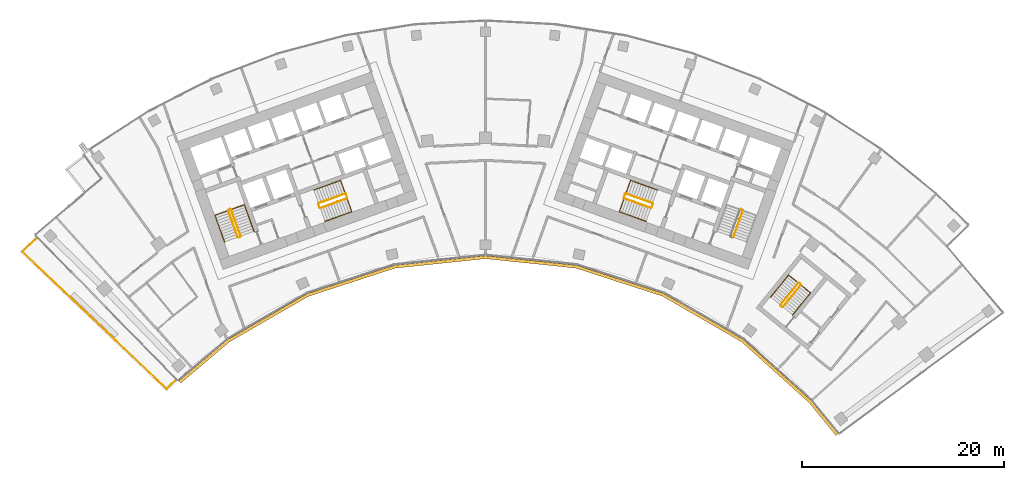
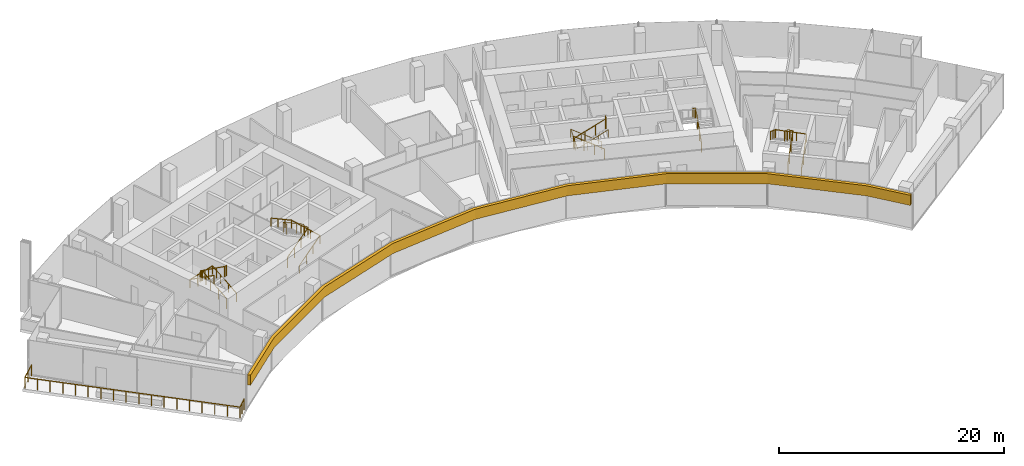
# One storey, part 19 of 20: 14 railings, 1 covering.
"""IFC4 building model written with IfcOpenShell, lengths in metres."""

from ifc_helpers import new_model, si_unit, direction, frame, origin, origin_2d, place, context, subcontext, project, spatial, polyline, circle, outline, extrude, material, layer, layer_set, type_object, element, save


model = new_model("IFC4")

# Units and contexts
model_context = context("Model", 3, precision=1e-05, world=origin(), true_north=direction((0.0, 1.0)))
body_context = subcontext(model_context, "Body", "Model", "MODEL_VIEW")
ifc_project = project(units=[si_unit("LENGTHUNIT", "METRE"), si_unit("AREAUNIT", "SQUARE_METRE"), si_unit("VOLUMEUNIT", "CUBIC_METRE"), si_unit("PLANEANGLEUNIT", "RADIAN"), si_unit("MASSUNIT", "GRAM", prefix="KILO")], contexts=[model_context])

# Site, building, storey
site_placement = place(None, origin())
site = spatial("IfcSite", under=ifc_project, at=site_placement, CompositionType="ELEMENT")
building_placement = place(site_placement, origin())
building = spatial("IfcBuilding", under=site, at=building_placement, Name="Stone Belt Terrace Tower", CompositionType="ELEMENT")
storey_placement = place(building_placement, frame((0.0, 0.0, 216.199951171875)))
storey = spatial("IfcBuildingStorey", under=building, at=storey_placement, Name="L52", CompositionType="ELEMENT", Elevation=216.199951171875)

# Railings
ifc_material_1 = material(Name="Structural steel C345", Category="steel")
railing_type_1 = type_object("IfcRailingType", Name="Stair guard 1100", PredefinedType="GUARDRAIL", material=ifc_material_1)
railing_1_placement = place(storey_placement, frame((-24.2119140625, 45.276123046875, 0.1728515625)))
element("IfcRailing", 1, at=railing_1_placement, inside=storey, type_object=railing_type_1, Name="L52 ST1A stair guard 1", PredefinedType="GUARDRAIL", context=body_context, shape_type="SweptSolid", body=[
    extrude(circle(Radius=0.02392578125, at=origin_2d()), frame((0.0, 0.0, 1.076171875), z_axis=(-0.288228637646, 0.800791768495, 0.525030280985), x_axis=(-0.940908529223, -0.338660803216, 0.0)), (0.0, 0.0, 1.0), 3.289794921875),
    extrude(circle(Radius=0.02392578125, at=origin_2d()), frame((-0.9482421875, 2.634521484375, 2.80322265625), z_axis=(-0.905209821074, 0.424964916, 0.0), x_axis=(-0.424964916, -0.905209821074, 0.0)), (0.0, 0.0, 1.0), 0.070556640625),
    extrude(circle(Radius=0.02392578125, at=origin_2d()), frame((-1.01220703125, 2.66455078125, 2.80322265625), z_axis=(-0.941105063269, -0.338114270461, 0.0), x_axis=(0.338114270461, -0.941105063269, 0.0)), (0.0, 0.0, 1.0), 0.199951171875),
    extrude(circle(Radius=0.02099609375, at=origin_2d()), origin(), (0.0, 0.0, 1.0), 1.052001953125),
    extrude(circle(Radius=0.02099609375, at=origin_2d()), frame((-0.316162109375, 0.878173828125, 0.57568359375)), (0.0, 0.0, 1.0), 1.052001953125),
    extrude(circle(Radius=0.02099609375, at=origin_2d()), frame((-0.632080078125, 1.75634765625, 1.151611328125)), (0.0, 0.0, 1.0), 1.052001953125),
    extrude(circle(Radius=0.02099609375, at=origin_2d()), frame((-0.9482421875, 2.634521484375, 1.727294921875)), (0.0, 0.0, 1.0), 1.052001953125),
    extrude(circle(Radius=0.02099609375, at=origin_2d()), frame((-1.01220703125, 2.66455078125, 1.727294921875)), (0.0, 0.0, 1.0), 1.052001953125),
    extrude(circle(Radius=0.02099609375, at=origin_2d()), frame((-1.200439453125, 2.596923828125, 1.727294921875)), (0.0, 0.0, 1.0), 1.052001953125),
])
railing_2_placement = place(storey_placement, frame((-25.4423828125, 47.80908203125, 2.07275390625)))
element("IfcRailing", 2, at=railing_2_placement, inside=storey, type_object=railing_type_1, Name="L52 ST1A stair guard 2", PredefinedType="GUARDRAIL", context=body_context, shape_type="SweptSolid", body=[
    extrude(circle(Radius=0.02392578125, at=origin_2d()), frame((0.0, 0.0, 1.076171875), z_axis=(0.288228637646, -0.800791768495, 0.525030280985), x_axis=(0.940908529223, 0.338660803216, 0.0)), (0.0, 0.0, 1.0), 3.289794921875),
    extrude(circle(Radius=0.02392578125, at=origin_2d()), frame((0.9482421875, -2.634521484375, 2.80322265625), z_axis=(0.903878284585, -0.427789722475, 0.0), x_axis=(0.427789722475, 0.903878284585, 0.0)), (0.0, 0.0, 1.0), 0.07080078125),
    extrude(circle(Radius=0.02392578125, at=origin_2d()), frame((1.01220703125, -2.664794921875, 2.80322265625), z_axis=(0.940575576748, 0.339584429008, 0.0), x_axis=(-0.339584429008, 0.940575576748, 0.0)), (0.0, 0.0, 1.0), 0.199951171875),
    extrude(circle(Radius=0.02099609375, at=origin_2d()), origin(), (0.0, 0.0, 1.0), 1.052001953125),
    extrude(circle(Radius=0.02099609375, at=origin_2d()), frame((0.316162109375, -0.878173828125, 0.57568359375)), (0.0, 0.0, 1.0), 1.052001953125),
    extrude(circle(Radius=0.02099609375, at=origin_2d()), frame((0.632080078125, -1.75634765625, 1.151611328125)), (0.0, 0.0, 1.0), 1.052001953125),
    extrude(circle(Radius=0.02099609375, at=origin_2d()), frame((0.9482421875, -2.634521484375, 1.727294921875)), (0.0, 0.0, 1.0), 1.052001953125),
    extrude(circle(Radius=0.02099609375, at=origin_2d()), frame((1.01220703125, -2.664794921875, 1.727294921875)), (0.0, 0.0, 1.0), 1.052001953125),
    extrude(circle(Radius=0.02099609375, at=origin_2d()), frame((1.2001953125, -2.596923828125, 1.727294921875)), (0.0, 0.0, 1.0), 1.052001953125),
])
railing_3_placement = place(storey_placement, frame((-16.33837890625, 48.056640625, 0.1728515625)))
element("IfcRailing", 3, at=railing_3_placement, inside=storey, type_object=railing_type_1, Name="L52 ST2A stair guard 1", PredefinedType="GUARDRAIL", context=body_context, shape_type="SweptSolid", body=[
    extrude(circle(Radius=0.02392578125, at=origin_2d()), frame((0.0, 0.0, 1.076171875), z_axis=(0.800808895155, 0.288160591223, 0.52504150989), x_axis=(-0.338583606334, 0.940936311087, 0.0)), (0.0, 0.0, 1.0), 3.289794921875),
    extrude(circle(Radius=0.02392578125, at=origin_2d()), frame((2.634521484375, 0.947998046875, 2.80322265625), z_axis=(0.427789722475, 0.903878284585, 0.0), x_axis=(-0.903878284585, 0.427789722475, 0.0)), (0.0, 0.0, 1.0), 0.07080078125),
    extrude(circle(Radius=0.02392578125, at=origin_2d()), frame((2.664794921875, 1.011962890625, 2.80322265625), z_axis=(-0.338654645739, 0.940910745459, 0.0), x_axis=(-0.940910745459, -0.338654645739, 0.0)), (0.0, 0.0, 1.0), 0.400146484375),
    extrude(circle(Radius=0.02099609375, at=origin_2d()), origin(), (0.0, 0.0, 1.0), 1.052001953125),
    extrude(circle(Radius=0.02099609375, at=origin_2d()), frame((0.878173828125, 0.31591796875, 0.57568359375)), (0.0, 0.0, 1.0), 1.052001953125),
    extrude(circle(Radius=0.02099609375, at=origin_2d()), frame((1.75634765625, 0.632080078125, 1.151611328125)), (0.0, 0.0, 1.0), 1.052001953125),
    extrude(circle(Radius=0.02099609375, at=origin_2d()), frame((2.634521484375, 0.947998046875, 1.727294921875)), (0.0, 0.0, 1.0), 1.052001953125),
    extrude(circle(Radius=0.02099609375, at=origin_2d()), frame((2.664794921875, 1.011962890625, 1.727294921875)), (0.0, 0.0, 1.0), 1.052001953125),
    extrude(circle(Radius=0.02099609375, at=origin_2d()), frame((2.529296875, 1.388427734375, 1.727294921875)), (0.0, 0.0, 1.0), 1.052001953125),
])
railing_4_placement = place(storey_placement, frame((-13.873046875, 49.47509765625, 2.07275390625)))
element("IfcRailing", 4, at=railing_4_placement, inside=storey, type_object=railing_type_1, Name="L52 ST2A stair guard 2", PredefinedType="GUARDRAIL", context=body_context, shape_type="SweptSolid", body=[
    extrude(circle(Radius=0.02392578125, at=origin_2d()), frame((0.0, 0.0, 1.076171875), z_axis=(-0.800808895155, -0.288160591223, 0.52504150989), x_axis=(0.338583606334, -0.940936311087, 0.0)), (0.0, 0.0, 1.0), 3.289794921875),
    extrude(circle(Radius=0.02392578125, at=origin_2d()), frame((-2.634521484375, -0.947998046875, 2.80322265625), z_axis=(-0.427789722475, -0.903878284585, 0.0), x_axis=(0.903878284585, -0.427789722475, 0.0)), (0.0, 0.0, 1.0), 0.07080078125),
    extrude(circle(Radius=0.02392578125, at=origin_2d()), frame((-2.664794921875, -1.011962890625, 2.80322265625), z_axis=(0.338654645739, -0.940910745459, 0.0), x_axis=(0.940910745459, 0.338654645739, 0.0)), (0.0, 0.0, 1.0), 0.400146484375),
    extrude(circle(Radius=0.02099609375, at=origin_2d()), origin(), (0.0, 0.0, 1.0), 1.052001953125),
    extrude(circle(Radius=0.02099609375, at=origin_2d()), frame((-0.878173828125, -0.31591796875, 0.57568359375)), (0.0, 0.0, 1.0), 1.052001953125),
    extrude(circle(Radius=0.02099609375, at=origin_2d()), frame((-1.75634765625, -0.632080078125, 1.151611328125)), (0.0, 0.0, 1.0), 1.052001953125),
    extrude(circle(Radius=0.02099609375, at=origin_2d()), frame((-2.634521484375, -0.947998046875, 1.727294921875)), (0.0, 0.0, 1.0), 1.052001953125),
    extrude(circle(Radius=0.02099609375, at=origin_2d()), frame((-2.664794921875, -1.011962890625, 1.727294921875)), (0.0, 0.0, 1.0), 1.052001953125),
    extrude(circle(Radius=0.02099609375, at=origin_2d()), frame((-2.529296875, -1.388427734375, 1.727294921875)), (0.0, 0.0, 1.0), 1.052001953125),
])
railing_5_placement = place(storey_placement, frame((24.494140625, 45.174560546875, 0.1728515625)))
element("IfcRailing", 5, at=railing_5_placement, inside=storey, type_object=railing_type_1, Name="L52 ST1B stair guard 1", PredefinedType="GUARDRAIL", context=body_context, shape_type="SweptSolid", body=[
    extrude(circle(Radius=0.02392578125, at=origin_2d()), frame((0.0, 0.0, 1.076171875), z_axis=(0.288228637646, 0.800791768495, 0.525030280985), x_axis=(-0.940908529223, 0.338660803216, 0.0)), (0.0, 0.0, 1.0), 3.289794921875),
    extrude(circle(Radius=0.02392578125, at=origin_2d()), frame((0.9482421875, 2.634521484375, 2.80322265625), z_axis=(-0.424964916, 0.905209821074, 0.0), x_axis=(-0.905209821074, -0.424964916, 0.0)), (0.0, 0.0, 1.0), 0.070556640625),
    extrude(circle(Radius=0.02392578125, at=origin_2d()), frame((0.918212890625, 2.698486328125, 2.80322265625), z_axis=(-0.941105063269, 0.338114270461, 0.0), x_axis=(-0.338114270461, -0.941105063269, 0.0)), (0.0, 0.0, 1.0), 0.199951171875),
    extrude(circle(Radius=0.02099609375, at=origin_2d()), origin(), (0.0, 0.0, 1.0), 1.052001953125),
    extrude(circle(Radius=0.02099609375, at=origin_2d()), frame((0.316162109375, 0.878173828125, 0.57568359375)), (0.0, 0.0, 1.0), 1.052001953125),
    extrude(circle(Radius=0.02099609375, at=origin_2d()), frame((0.632080078125, 1.75634765625, 1.151611328125)), (0.0, 0.0, 1.0), 1.052001953125),
    extrude(circle(Radius=0.02099609375, at=origin_2d()), frame((0.9482421875, 2.634521484375, 1.727294921875)), (0.0, 0.0, 1.0), 1.052001953125),
    extrude(circle(Radius=0.02099609375, at=origin_2d()), frame((0.918212890625, 2.698486328125, 1.727294921875)), (0.0, 0.0, 1.0), 1.052001953125),
    extrude(circle(Radius=0.02099609375, at=origin_2d()), frame((0.72998046875, 2.76611328125, 1.727294921875)), (0.0, 0.0, 1.0), 1.052001953125),
])
railing_6_placement = place(storey_placement, frame((16.507568359375, 48.527099609375, 0.1728515625)))
element("IfcRailing", 6, at=railing_6_placement, inside=storey, type_object=railing_type_1, Name="L52 ST2B stair guard 1", PredefinedType="GUARDRAIL", context=body_context, shape_type="SweptSolid", body=[
    extrude(circle(Radius=0.02392578125, at=origin_2d()), frame((0.0, 0.0, 1.076171875), z_axis=(-0.800808895155, 0.288160591223, 0.52504150989), x_axis=(-0.338583606334, -0.940936311087, 0.0)), (0.0, 0.0, 1.0), 3.289794921875),
    extrude(circle(Radius=0.02392578125, at=origin_2d()), frame((-2.634521484375, 0.947998046875, 2.80322265625), z_axis=(-0.905209821074, -0.424964916, 0.0), x_axis=(0.424964916, -0.905209821074, 0.0)), (0.0, 0.0, 1.0), 0.070556640625),
    extrude(circle(Radius=0.02392578125, at=origin_2d()), frame((-2.698486328125, 0.91796875, 2.80322265625), z_axis=(-0.338654645739, -0.940910745459, 0.0), x_axis=(0.940910745459, -0.338654645739, 0.0)), (0.0, 0.0, 1.0), 0.400146484375),
    extrude(circle(Radius=0.02099609375, at=origin_2d()), origin(), (0.0, 0.0, 1.0), 1.052001953125),
    extrude(circle(Radius=0.02099609375, at=origin_2d()), frame((-0.878173828125, 0.31591796875, 0.57568359375)), (0.0, 0.0, 1.0), 1.052001953125),
    extrude(circle(Radius=0.02099609375, at=origin_2d()), frame((-1.75634765625, 0.632080078125, 1.151611328125)), (0.0, 0.0, 1.0), 1.052001953125),
    extrude(circle(Radius=0.02099609375, at=origin_2d()), frame((-2.634521484375, 0.947998046875, 1.727294921875)), (0.0, 0.0, 1.0), 1.052001953125),
    extrude(circle(Radius=0.02099609375, at=origin_2d()), frame((-2.698486328125, 0.91796875, 1.727294921875)), (0.0, 0.0, 1.0), 1.052001953125),
    extrude(circle(Radius=0.02099609375, at=origin_2d()), frame((-2.833984375, 0.54150390625, 1.727294921875)), (0.0, 0.0, 1.0), 1.052001953125),
])
railing_7_placement = place(storey_placement, frame((13.703857421875, 49.004638671875, 2.07275390625)))
element("IfcRailing", 7, at=railing_7_placement, inside=storey, type_object=railing_type_1, Name="L52 ST2B stair guard 2", PredefinedType="GUARDRAIL", context=body_context, shape_type="SweptSolid", body=[
    extrude(circle(Radius=0.02392578125, at=origin_2d()), frame((0.0, 0.0, 1.076171875), z_axis=(0.800808895155, -0.288160591223, 0.52504150989), x_axis=(0.338583606334, 0.940936311087, 0.0)), (0.0, 0.0, 1.0), 3.289794921875),
    extrude(circle(Radius=0.02392578125, at=origin_2d()), frame((2.634521484375, -0.947998046875, 2.80322265625), z_axis=(0.905209821074, 0.424964916, 0.0), x_axis=(-0.424964916, 0.905209821074, 0.0)), (0.0, 0.0, 1.0), 0.070556640625),
    extrude(circle(Radius=0.02392578125, at=origin_2d()), frame((2.698486328125, -0.91796875, 2.80322265625), z_axis=(0.338654645739, 0.940910745459, 0.0), x_axis=(-0.940910745459, 0.338654645739, 0.0)), (0.0, 0.0, 1.0), 0.400146484375),
    extrude(circle(Radius=0.02099609375, at=origin_2d()), origin(), (0.0, 0.0, 1.0), 1.052001953125),
    extrude(circle(Radius=0.02099609375, at=origin_2d()), frame((0.878173828125, -0.31591796875, 0.57568359375)), (0.0, 0.0, 1.0), 1.052001953125),
    extrude(circle(Radius=0.02099609375, at=origin_2d()), frame((1.75634765625, -0.632080078125, 1.151611328125)), (0.0, 0.0, 1.0), 1.052001953125),
    extrude(circle(Radius=0.02099609375, at=origin_2d()), frame((2.634521484375, -0.947998046875, 1.727294921875)), (0.0, 0.0, 1.0), 1.052001953125),
    extrude(circle(Radius=0.02099609375, at=origin_2d()), frame((2.698486328125, -0.91796875, 1.727294921875)), (0.0, 0.0, 1.0), 1.052001953125),
    extrude(circle(Radius=0.02099609375, at=origin_2d()), frame((2.833984375, -0.54150390625, 1.727294921875)), (0.0, 0.0, 1.0), 1.052001953125),
])
railing_8_placement = place(storey_placement, frame((29.39794921875, 38.281982421875, 0.1728515625)))
element("IfcRailing", 8, at=railing_8_placement, inside=storey, type_object=railing_type_1, Name="L52 ST3B stair guard 1", PredefinedType="GUARDRAIL", context=body_context, shape_type="SweptSolid", body=[
    extrude(circle(Radius=0.02392578125, at=origin_2d()), frame((0.0, 0.0, 1.076171875), z_axis=(0.536393061503, 0.660769759217, 0.525038864158), x_axis=(-0.776391310223, 0.630251166924, 0.0)), (0.0, 0.0, 1.0), 3.289794921875),
    extrude(circle(Radius=0.02392578125, at=origin_2d()), frame((1.7646484375, 2.173828125, 2.80322265625), z_axis=(-0.103251414163, 0.994655289773, 0.0), x_axis=(-0.994655289773, -0.103251414163, 0.0)), (0.0, 0.0, 1.0), 0.071044921875),
    extrude(circle(Radius=0.02392578125, at=origin_2d()), frame((1.75732421875, 2.244384765625, 2.80322265625), z_axis=(-0.776561986372, 0.630040856868, 0.0), x_axis=(-0.630040856868, -0.776561986372, 0.0)), (0.0, 0.0, 1.0), 0.199951171875),
    extrude(circle(Radius=0.02099609375, at=origin_2d()), origin(), (0.0, 0.0, 1.0), 1.052001953125),
    extrude(circle(Radius=0.02099609375, at=origin_2d()), frame((0.588134765625, 0.724609375, 0.57568359375)), (0.0, 0.0, 1.0), 1.052001953125),
    extrude(circle(Radius=0.02099609375, at=origin_2d()), frame((1.176513671875, 1.44921875, 1.151611328125)), (0.0, 0.0, 1.0), 1.052001953125),
    extrude(circle(Radius=0.02099609375, at=origin_2d()), frame((1.7646484375, 2.173828125, 1.727294921875)), (0.0, 0.0, 1.0), 1.052001953125),
    extrude(circle(Radius=0.02099609375, at=origin_2d()), frame((1.75732421875, 2.244384765625, 1.727294921875)), (0.0, 0.0, 1.0), 1.052001953125),
    extrude(circle(Radius=0.02099609375, at=origin_2d()), frame((1.60205078125, 2.370361328125, 1.727294921875)), (0.0, 0.0, 1.0), 1.052001953125),
])
railing_9_placement = place(storey_placement, frame((30.9296875, 40.64501953125, 2.07275390625)))
element("IfcRailing", 9, at=railing_9_placement, inside=storey, type_object=railing_type_1, Name="L52 ST3B stair guard 2", PredefinedType="GUARDRAIL", context=body_context, shape_type="SweptSolid", body=[
    extrude(circle(Radius=0.02392578125, at=origin_2d()), frame((0.0, 0.0, 1.076171875), z_axis=(-0.536366759382, -0.660811565066, 0.525013118792), x_axis=(0.776425942316, -0.630208502084, 0.0)), (0.0, 0.0, 1.0), 3.2900390625),
    extrude(circle(Radius=0.02392578125, at=origin_2d()), frame((-1.7646484375, -2.174072265625, 2.80322265625), z_axis=(0.103606084259, -0.994618408891, 0.0), x_axis=(0.994618408891, 0.103606084259, 0.0)), (0.0, 0.0, 1.0), 0.07080078125),
    extrude(circle(Radius=0.02392578125, at=origin_2d()), frame((-1.75732421875, -2.244384765625, 2.80322265625), z_axis=(0.776561986372, -0.630040856868, 0.0), x_axis=(0.630040856868, 0.776561986372, 0.0)), (0.0, 0.0, 1.0), 0.199951171875),
    extrude(circle(Radius=0.02099609375, at=origin_2d()), origin(), (0.0, 0.0, 1.0), 1.052001953125),
    extrude(circle(Radius=0.02099609375, at=origin_2d()), frame((-0.588134765625, -0.724609375, 0.57568359375)), (0.0, 0.0, 1.0), 1.052001953125),
    extrude(circle(Radius=0.02099609375, at=origin_2d()), frame((-1.176513671875, -1.449462890625, 1.151611328125)), (0.0, 0.0, 1.0), 1.052001953125),
    extrude(circle(Radius=0.02099609375, at=origin_2d()), frame((-1.7646484375, -2.174072265625, 1.727294921875)), (0.0, 0.0, 1.0), 1.052001953125),
    extrude(circle(Radius=0.02099609375, at=origin_2d()), frame((-1.75732421875, -2.244384765625, 1.727294921875)), (0.0, 0.0, 1.0), 1.052001953125),
    extrude(circle(Radius=0.02099609375, at=origin_2d()), frame((-1.60205078125, -2.370361328125, 1.727294921875)), (0.0, 0.0, 1.0), 1.052001953125),
])
railing_type_2 = type_object("IfcRailingType", Name="Stair handrail 900", PredefinedType="HANDRAIL", material=ifc_material_1)
railing_10_placement = place(storey_placement, frame((-22.894775390625, 45.750244140625, 0.1728515625)))
element("IfcRailing", 10, at=railing_10_placement, inside=storey, type_object=railing_type_2, Name="L52 ST1A stair handrail 1", PredefinedType="HANDRAIL", context=body_context, shape_type="SweptSolid", body=[
    extrude(circle(Radius=0.02392578125, at=origin_2d()), frame((0.0, 0.0, 0.8759765625), z_axis=(-0.288160591223, 0.800808895155, 0.52504150989), x_axis=(-0.940936311087, -0.338583606334, 0.0)), (0.0, 0.0, 1.0), 3.289794921875),
    extrude(circle(Radius=0.02392578125, at=origin_2d()), frame((-0.947998046875, 2.634521484375, 2.60302734375), z_axis=(-0.939464517435, -0.338106580597, 0.055591012205), x_axis=(0.338630230244, -0.940919532779, 0.0)), (0.0, 0.0, 1.0), 3.10498046875),
    extrude(circle(Radius=0.02392578125, at=origin_2d()), frame((-3.864990234375, 1.584716796875, 2.77587890625), z_axis=(0.288228637646, -0.800791768495, 0.525030280985), x_axis=(0.940908529223, 0.338660803216, 0.0)), (0.0, 0.0, 1.0), 3.289794921875),
    extrude(circle(Radius=0.02099609375, at=origin_2d()), origin(), (0.0, 0.0, 1.0), 0.851806640625),
    extrude(circle(Radius=0.02099609375, at=origin_2d()), frame((-0.31591796875, 0.878173828125, 0.57568359375)), (0.0, 0.0, 1.0), 0.851806640625),
    extrude(circle(Radius=0.02099609375, at=origin_2d()), frame((-0.632080078125, 1.75634765625, 1.151611328125)), (0.0, 0.0, 1.0), 0.851806640625),
    extrude(circle(Radius=0.02099609375, at=origin_2d()), frame((-0.947998046875, 2.634521484375, 1.727294921875)), (0.0, 0.0, 1.0), 0.851806640625),
    extrude(circle(Radius=0.02099609375, at=origin_2d()), frame((-1.92041015625, 2.28466796875, 1.784912109375)), (0.0, 0.0, 1.0), 0.851806640625),
    extrude(circle(Radius=0.02099609375, at=origin_2d()), frame((-2.892578125, 1.9345703125, 1.84228515625)), (0.0, 0.0, 1.0), 0.851806640625),
    extrude(circle(Radius=0.02099609375, at=origin_2d()), frame((-3.864990234375, 1.584716796875, 1.89990234375)), (0.0, 0.0, 1.0), 0.851806640625),
    extrude(circle(Radius=0.02099609375, at=origin_2d()), frame((-3.548828125, 0.70654296875, 2.4755859375)), (0.0, 0.0, 1.0), 0.851806640625),
    extrude(circle(Radius=0.02099609375, at=origin_2d()), frame((-3.23291015625, -0.171630859375, 3.051513671875)), (0.0, 0.0, 1.0), 0.851806640625),
    extrude(circle(Radius=0.02099609375, at=origin_2d()), frame((-2.916748046875, -1.0498046875, 3.627197265625)), (0.0, 0.0, 1.0), 0.851806640625),
])
railing_11_placement = place(storey_placement, frame((-15.8642578125, 46.7392578125, 0.1728515625)))
element("IfcRailing", 11, at=railing_11_placement, inside=storey, type_object=railing_type_2, Name="L52 ST2A stair handrail 1", PredefinedType="HANDRAIL", context=body_context, shape_type="SweptSolid", body=[
    extrude(circle(Radius=0.02392578125, at=origin_2d()), frame((0.0, 0.0, 0.8759765625), z_axis=(0.800791768495, 0.288228637646, 0.525030280985), x_axis=(-0.338660803216, 0.940908529223, 0.0)), (0.0, 0.0, 1.0), 3.289794921875),
    extrude(circle(Radius=0.02392578125, at=origin_2d()), frame((2.634521484375, 0.9482421875, 2.60302734375), z_axis=(-0.338160254016, 0.939637778147, 0.052234935458), x_axis=(-0.940922302781, -0.338622533404, 0.0)), (0.0, 0.0, 1.0), 3.304443359375),
    extrude(circle(Radius=0.02392578125, at=origin_2d()), frame((1.51708984375, 4.05322265625, 2.77587890625), z_axis=(-0.800791768495, -0.288228637646, 0.525030280985), x_axis=(0.338660803216, -0.940908529223, 0.0)), (0.0, 0.0, 1.0), 3.289794921875),
    extrude(circle(Radius=0.02099609375, at=origin_2d()), origin(), (0.0, 0.0, 1.0), 0.851806640625),
    extrude(circle(Radius=0.02099609375, at=origin_2d()), frame((0.878173828125, 0.316162109375, 0.57568359375)), (0.0, 0.0, 1.0), 0.851806640625),
    extrude(circle(Radius=0.02099609375, at=origin_2d()), frame((1.75634765625, 0.632080078125, 1.151611328125)), (0.0, 0.0, 1.0), 0.851806640625),
    extrude(circle(Radius=0.02099609375, at=origin_2d()), frame((2.634521484375, 0.9482421875, 1.727294921875)), (0.0, 0.0, 1.0), 0.851806640625),
    extrude(circle(Radius=0.02099609375, at=origin_2d()), frame((2.261962890625, 1.983154296875, 1.784912109375)), (0.0, 0.0, 1.0), 0.851806640625),
    extrude(circle(Radius=0.02099609375, at=origin_2d()), frame((1.8896484375, 3.018310546875, 1.84228515625)), (0.0, 0.0, 1.0), 0.851806640625),
    extrude(circle(Radius=0.02099609375, at=origin_2d()), frame((1.51708984375, 4.05322265625, 1.89990234375)), (0.0, 0.0, 1.0), 0.851806640625),
    extrude(circle(Radius=0.02099609375, at=origin_2d()), frame((0.638916015625, 3.737060546875, 2.4755859375)), (0.0, 0.0, 1.0), 0.851806640625),
    extrude(circle(Radius=0.02099609375, at=origin_2d()), frame((-0.2392578125, 3.421142578125, 3.051513671875)), (0.0, 0.0, 1.0), 0.851806640625),
    extrude(circle(Radius=0.02099609375, at=origin_2d()), frame((-1.117431640625, 3.10498046875, 3.627197265625)), (0.0, 0.0, 1.0), 0.851806640625),
])
railing_12_placement = place(storey_placement, frame((16.981689453125, 49.84423828125, 0.1728515625)))
element("IfcRailing", 12, at=railing_12_placement, inside=storey, type_object=railing_type_2, Name="L52 ST2B stair handrail 1", PredefinedType="HANDRAIL", context=body_context, shape_type="SweptSolid", body=[
    extrude(circle(Radius=0.02392578125, at=origin_2d()), frame((0.0, 0.0, 0.8759765625), z_axis=(-0.800791768495, 0.288228637646, 0.525030280985), x_axis=(-0.338660803216, -0.940908529223, 0.0)), (0.0, 0.0, 1.0), 3.289794921875),
    extrude(circle(Radius=0.02392578125, at=origin_2d()), frame((-2.634521484375, 0.9482421875, 2.60302734375), z_axis=(-0.338160254016, -0.939637778147, 0.052234935458), x_axis=(0.940922302781, -0.338622533404, 0.0)), (0.0, 0.0, 1.0), 3.304443359375),
    extrude(circle(Radius=0.02392578125, at=origin_2d()), frame((-3.751953125, -2.15673828125, 2.77587890625), z_axis=(0.800791768495, -0.288228637646, 0.525030280985), x_axis=(0.338660803216, 0.940908529223, 0.0)), (0.0, 0.0, 1.0), 3.289794921875),
    extrude(circle(Radius=0.02099609375, at=origin_2d()), origin(), (0.0, 0.0, 1.0), 0.851806640625),
    extrude(circle(Radius=0.02099609375, at=origin_2d()), frame((-0.878173828125, 0.316162109375, 0.57568359375)), (0.0, 0.0, 1.0), 0.851806640625),
    extrude(circle(Radius=0.02099609375, at=origin_2d()), frame((-1.75634765625, 0.632080078125, 1.151611328125)), (0.0, 0.0, 1.0), 0.851806640625),
    extrude(circle(Radius=0.02099609375, at=origin_2d()), frame((-2.634521484375, 0.9482421875, 1.727294921875)), (0.0, 0.0, 1.0), 0.851806640625),
    extrude(circle(Radius=0.02099609375, at=origin_2d()), frame((-3.007080078125, -0.086669921875, 1.784912109375)), (0.0, 0.0, 1.0), 0.851806640625),
    extrude(circle(Radius=0.02099609375, at=origin_2d()), frame((-3.37939453125, -1.121826171875, 1.84228515625)), (0.0, 0.0, 1.0), 0.851806640625),
    extrude(circle(Radius=0.02099609375, at=origin_2d()), frame((-3.751953125, -2.15673828125, 1.89990234375)), (0.0, 0.0, 1.0), 0.851806640625),
    extrude(circle(Radius=0.02099609375, at=origin_2d()), frame((-2.873779296875, -2.472900390625, 2.4755859375)), (0.0, 0.0, 1.0), 0.851806640625),
    extrude(circle(Radius=0.02099609375, at=origin_2d()), frame((-1.99560546875, -2.788818359375, 3.051513671875)), (0.0, 0.0, 1.0), 0.851806640625),
    extrude(circle(Radius=0.02099609375, at=origin_2d()), frame((-1.117431640625, -3.10498046875, 3.627197265625)), (0.0, 0.0, 1.0), 0.851806640625),
])
railing_13_placement = place(storey_placement, frame((30.36865234375, 37.494140625, 0.1728515625)))
element("IfcRailing", 13, at=railing_13_placement, inside=storey, type_object=railing_type_2, Name="L52 ST3B stair handrail 1", PredefinedType="HANDRAIL", context=body_context, shape_type="SweptSolid", body=[
    extrude(circle(Radius=0.02392578125, at=origin_2d()), frame((0.0, 0.0, 0.8759765625), z_axis=(0.536366759382, 0.660811565066, 0.525013118792), x_axis=(-0.776425942316, 0.630208502084, 0.0)), (0.0, 0.0, 1.0), 3.2900390625),
    extrude(circle(Radius=0.02392578125, at=origin_2d()), frame((1.7646484375, 2.174072265625, 2.60302734375), z_axis=(-0.774954966459, 0.629014542119, 0.061526463929), x_axis=(-0.630208502084, -0.776425942316, 0.0)), (0.0, 0.0, 1.0), 2.805419921875),
    extrude(circle(Radius=0.02392578125, at=origin_2d()), frame((-0.409423828125, 3.938720703125, 2.77587890625), z_axis=(-0.536366759382, -0.660811565066, 0.525013118792), x_axis=(0.776425942316, -0.630208502084, 0.0)), (0.0, 0.0, 1.0), 3.2900390625),
    extrude(circle(Radius=0.02099609375, at=origin_2d()), origin(), (0.0, 0.0, 1.0), 0.851806640625),
    extrude(circle(Radius=0.02099609375, at=origin_2d()), frame((0.588134765625, 0.724609375, 0.57568359375)), (0.0, 0.0, 1.0), 0.851806640625),
    extrude(circle(Radius=0.02099609375, at=origin_2d()), frame((1.176513671875, 1.449462890625, 1.151611328125)), (0.0, 0.0, 1.0), 0.851806640625),
    extrude(circle(Radius=0.02099609375, at=origin_2d()), frame((1.7646484375, 2.174072265625, 1.727294921875)), (0.0, 0.0, 1.0), 0.851806640625),
    extrude(circle(Radius=0.02099609375, at=origin_2d()), frame((1.0400390625, 2.76220703125, 1.784912109375)), (0.0, 0.0, 1.0), 0.851806640625),
    extrude(circle(Radius=0.02099609375, at=origin_2d()), frame((0.315185546875, 3.3505859375, 1.84228515625)), (0.0, 0.0, 1.0), 0.851806640625),
    extrude(circle(Radius=0.02099609375, at=origin_2d()), frame((-0.409423828125, 3.938720703125, 1.89990234375)), (0.0, 0.0, 1.0), 0.851806640625),
    extrude(circle(Radius=0.02099609375, at=origin_2d()), frame((-0.99755859375, 3.214111328125, 2.4755859375)), (0.0, 0.0, 1.0), 0.851806640625),
    extrude(circle(Radius=0.02099609375, at=origin_2d()), frame((-1.5859375, 2.4892578125, 3.051513671875)), (0.0, 0.0, 1.0), 0.851806640625),
    extrude(circle(Radius=0.02099609375, at=origin_2d()), frame((-2.174072265625, 1.7646484375, 3.627197265625)), (0.0, 0.0, 1.0), 0.851806640625),
])
ifc_material_2 = material(Name="Stainless steel AISI 304", Category="steel")
railing_type_3 = type_object("IfcRailingType", Name="Terrace guard 1200", PredefinedType="GUARDRAIL", material=ifc_material_2)
railing_14_placement = place(storey_placement, frame((-44.3369140625, 45.095458984375, 0.0)))
element("IfcRailing", 14, at=railing_14_placement, inside=storey, type_object=railing_type_3, Name="GUARD L52 1.1", PredefinedType="GUARDRAIL", context=body_context, shape_type="SweptSolid", body=[
    extrude(circle(Radius=0.02490234375, at=origin_2d()), frame((0.0, 0.0, 1.1748046875), z_axis=(-0.736268456564, -0.67668955945, 0.0), x_axis=(0.67668955945, -0.736268456564, 0.0)), (0.0, 0.0, 1.0), 2.00390625),
    extrude(circle(Radius=0.02490234375, at=origin_2d()), frame((-1.475341796875, -1.35595703125, 1.1748046875), z_axis=(0.724912770514, -0.688840674718, 0.0), x_axis=(0.688840674718, 0.724912770514, 0.0)), (0.0, 0.0, 1.0), 19.6953125),
    extrude(circle(Radius=0.02490234375, at=origin_2d()), frame((12.802001953125, -14.9228515625, 1.1748046875), z_axis=(0.716436248599, 0.697652565174, 0.0), x_axis=(-0.697652565174, 0.716436248599, 0.0)), (0.0, 0.0, 1.0), 1.286865234375),
    extrude(circle(Radius=0.02001953125, at=origin_2d()), origin(), (0.0, 0.0, 1.0), 1.14990234375),
    extrude(circle(Radius=0.02001953125, at=origin_2d()), frame((-0.73779296875, -0.677978515625, 0.0)), (0.0, 0.0, 1.0), 1.14990234375),
    extrude(circle(Radius=0.02001953125, at=origin_2d()), frame((-1.475341796875, -1.35595703125, 0.0)), (0.0, 0.0, 1.0), 1.14990234375),
    extrude(circle(Radius=0.02001953125, at=origin_2d()), frame((-0.635498046875, -2.154052734375, 0.0)), (0.0, 0.0, 1.0), 1.14990234375),
    extrude(circle(Radius=0.02001953125, at=origin_2d()), frame((0.204345703125, -2.9521484375, 0.0)), (0.0, 0.0, 1.0), 1.14990234375),
    extrude(circle(Radius=0.02001953125, at=origin_2d()), frame((1.044189453125, -3.75, 0.0)), (0.0, 0.0, 1.0), 1.14990234375),
    extrude(circle(Radius=0.02001953125, at=origin_2d()), frame((1.884033203125, -4.548095703125, 0.0)), (0.0, 0.0, 1.0), 1.14990234375),
    extrude(circle(Radius=0.02001953125, at=origin_2d()), frame((2.723876953125, -5.34619140625, 0.0)), (0.0, 0.0, 1.0), 1.14990234375),
    extrude(circle(Radius=0.02001953125, at=origin_2d()), frame((3.563720703125, -6.144287109375, 0.0)), (0.0, 0.0, 1.0), 1.14990234375),
    extrude(circle(Radius=0.02001953125, at=origin_2d()), frame((4.403564453125, -6.9423828125, 0.0)), (0.0, 0.0, 1.0), 1.14990234375),
    extrude(circle(Radius=0.02001953125, at=origin_2d()), frame((5.243408203125, -7.740478515625, 0.0)), (0.0, 0.0, 1.0), 1.14990234375),
    extrude(circle(Radius=0.02001953125, at=origin_2d()), frame((6.083251953125, -8.538330078125, 0.0)), (0.0, 0.0, 1.0), 1.14990234375),
    extrude(circle(Radius=0.02001953125, at=origin_2d()), frame((6.923095703125, -9.33642578125, 0.0)), (0.0, 0.0, 1.0), 1.14990234375),
    extrude(circle(Radius=0.02001953125, at=origin_2d()), frame((7.762939453125, -10.134521484375, 0.0)), (0.0, 0.0, 1.0), 1.14990234375),
    extrude(circle(Radius=0.02001953125, at=origin_2d()), frame((8.602783203125, -10.9326171875, 0.0)), (0.0, 0.0, 1.0), 1.14990234375),
    extrude(circle(Radius=0.02001953125, at=origin_2d()), frame((9.442626953125, -11.730712890625, 0.0)), (0.0, 0.0, 1.0), 1.14990234375),
    extrude(circle(Radius=0.02001953125, at=origin_2d()), frame((10.282470703125, -12.52880859375, 0.0)), (0.0, 0.0, 1.0), 1.14990234375),
    extrude(circle(Radius=0.02001953125, at=origin_2d()), frame((11.122314453125, -13.32666015625, 0.0)), (0.0, 0.0, 1.0), 1.14990234375),
    extrude(circle(Radius=0.02001953125, at=origin_2d()), frame((11.962158203125, -14.124755859375, 0.0)), (0.0, 0.0, 1.0), 1.14990234375),
    extrude(circle(Radius=0.02001953125, at=origin_2d()), frame((12.802001953125, -14.9228515625, 0.0)), (0.0, 0.0, 1.0), 1.14990234375),
    extrude(circle(Radius=0.02001953125, at=origin_2d()), frame((13.262939453125, -14.47412109375, 0.0)), (0.0, 0.0, 1.0), 1.14990234375),
    extrude(circle(Radius=0.02001953125, at=origin_2d()), frame((13.723876953125, -14.025146484375, 0.0)), (0.0, 0.0, 1.0), 1.14990234375),
])

# Covering
ifc_material_3 = material(Name="Terracotta coloured glazed ceramic", Category="masonry")
ifc_layer = layer(ifc_material_3, 0.300048828125)
ifc_layer_set = layer_set([ifc_layer], Name="Terracotta spandrel band 300 x 1100")
covering_type = type_object("IfcCoveringType", Name="Terracotta spandrel band 300 x 1100", PredefinedType="CLADDING", material=ifc_layer_set)
covering_placement = place(storey_placement, frame((0.0, 0.0, 2.699951171875)))
element("IfcCovering", 15, at=covering_placement, inside=storey, type_object=covering_type, Name="BAND L52", PredefinedType="CLADDING", context=body_context, shape_type="SweptSolid", body=[
    extrude(outline(polyline([(-30.32666015625, 30.9765625), (-25.482177734375, 35.069091796875), (-17.631591796875, 39.6015625), (-9.0126953125, 42.40185546875), (0.0, 43.34912109375), (9.0126953125, 42.40185546875), (17.631591796875, 39.6015625), (25.47998046875, 35.0703125), (32.2177734375, 29.00341796875), (34.8720703125, 25.752197265625), (34.6396484375, 25.5625), (32.0, 28.7958984375), (25.302734375, 34.826171875), (17.509033203125, 39.325927734375), (8.9501953125, 42.10693359375), (0.0, 43.047607421875), (-8.9501953125, 42.10693359375), (-17.509033203125, 39.325927734375), (-25.308837890625, 34.822509765625), (-30.133056640625, 30.747314453125), (-30.32666015625, 30.9765625)])), origin(), (0.0, 0.0, 1.0), 1.10009765625),
])

save(model, "model.ifc")
